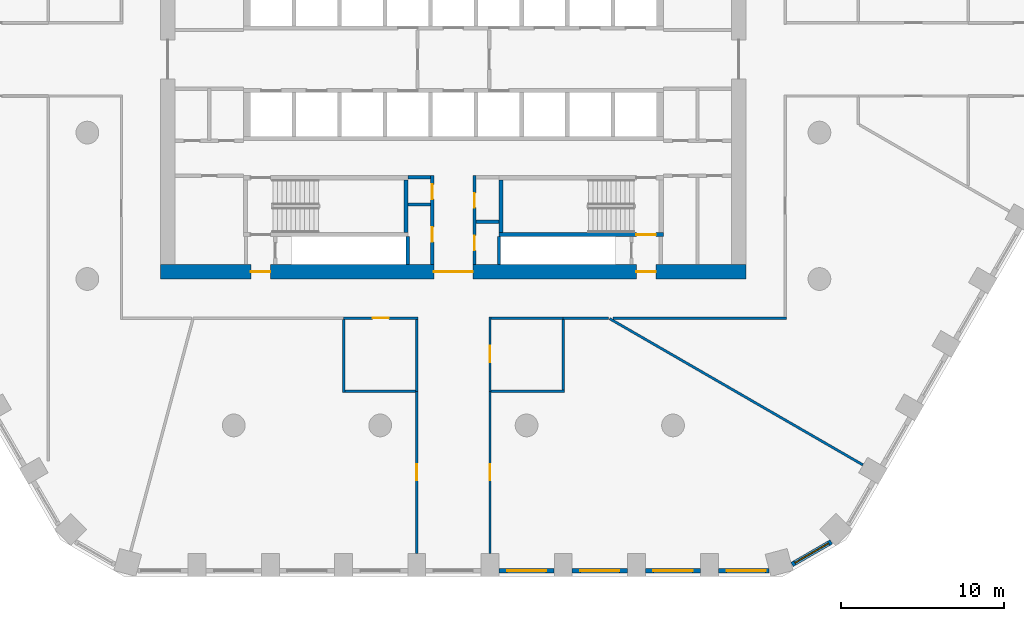
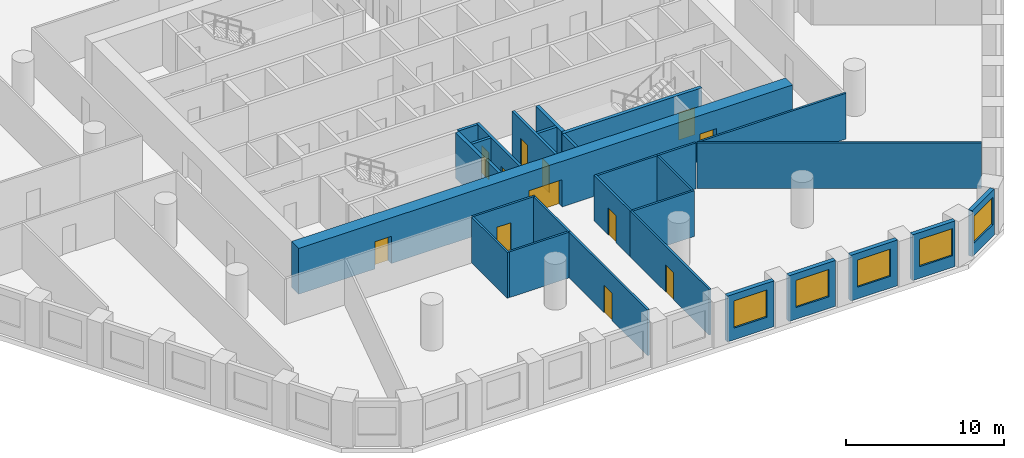
# One storey, part 3 of 10: 29 walls, 12 doors, 5 windows, 17 openings.
"""IFC4 building model written with IfcOpenShell, lengths in metres."""

from ifc_helpers import new_model, si_unit, direction, frame, frame_2d, origin, place, context, subcontext, project, spatial, rectangle, extrude, material, layer, layer_set, type_object, element, fill, save


model = new_model("IFC4")

# Units and contexts
model_context = context("Model", 3, precision=1e-05, world=origin(), true_north=direction((0.0, 1.0)))
body_context = subcontext(model_context, "Body", "Model", "MODEL_VIEW")
ifc_project = project(units=[si_unit("LENGTHUNIT", "METRE"), si_unit("AREAUNIT", "SQUARE_METRE"), si_unit("VOLUMEUNIT", "CUBIC_METRE"), si_unit("PLANEANGLEUNIT", "RADIAN"), si_unit("MASSUNIT", "GRAM", prefix="KILO")], contexts=[model_context])

# Site, building, storey
site_placement = place(None, origin())
site = spatial("IfcSite", under=ifc_project, at=site_placement, CompositionType="ELEMENT")
building_placement = place(site_placement, origin())
building = spatial("IfcBuilding", under=site, at=building_placement, Name="Dhurran Vertical Campus", CompositionType="ELEMENT")
storey_placement = place(building_placement, frame((0.0, 0.0, 65.10009765625)))
storey = spatial("IfcBuildingStorey", under=building, at=storey_placement, Name="L15", CompositionType="ELEMENT", Elevation=65.10009765625)

# Wall, opening, window
ifc_material_1 = material(Name="Precast concrete C50/60", Category="concrete")
ifc_layer_1 = layer(ifc_material_1, 0.300048828125)
ifc_layer_set_1 = layer_set([ifc_layer_1], Name="Precast concrete C50/60")
wall_type_1 = type_object("IfcWallType", Name="Precast spandrel wall 300", PredefinedType="SOLIDWALL", material=ifc_layer_set_1)
wall_1_placement = place(storey_placement, frame((2.800537109375, -31.4296875, 0.0), z_axis=(0.0, 0.0, 1.0), x_axis=(1.0, 0.0, 0.0)))
wall_1 = element("IfcWall", 1, at=wall_1_placement, inside=storey, type_object=wall_type_1, Name="EW1 L15.05", PredefinedType="SOLIDWALL", context=body_context, shape_type="SweptSolid", body=[
    extrude(rectangle(XDim=3.39892578125, YDim=0.300048828125, at=frame_2d((1.699462890625, 0.0))), origin(), (0.0, 0.0, 1.0), 3.52490234375),
])
opening_1_placement = place(wall_1_placement, frame((0.49951171875, 0.0, 0.89990234375)))
opening_1 = element("IfcOpeningElement", 2, at=opening_1_placement, cuts=wall_1, Name="Opening WT1", PredefinedType="OPENING", context=body_context, shape_type="SweptSolid", body=[
    extrude(rectangle(XDim=2.39990234375, YDim=2.10009765625, at=frame_2d((1.199951171875, 1.050048828125))), frame((0.0, 0.159912109375, 0.0), z_axis=(0.0, -1.0, 0.0), x_axis=(1.0, 0.0, 0.0)), (0.0, 0.0, 1.0), 0.320068359375),
])
ifc_material_2 = material(Name="Aluminium frame with solar-control glass", Category="aluminium")
window_type = type_object("IfcWindowType", Name="Punched window 2400 x 2100", PartitioningType="SINGLE_PANEL", PredefinedType="WINDOW", material=ifc_material_2)
window_1_placement = place(opening_1_placement, origin())
window_1 = element("IfcWindow", 3, at=window_1_placement, inside=storey, type_object=window_type, Name="WT1 L15.05", OverallHeight=2.10009765625, OverallWidth=2.39990234375, PartitioningType="SINGLE_PANEL", PredefinedType="WINDOW", context=body_context, shape_type="SweptSolid", body=[
    extrude(rectangle(XDim=2.39990234375, YDim=2.10009765625, at=frame_2d((1.199951171875, 1.050048828125))), frame((0.0, 0.030029296875, 0.0), z_axis=(0.0, -1.0, 0.0), x_axis=(1.0, 0.0, 0.0)), (0.0, 0.0, 1.0), 0.06005859375),
])
fill(opening_1, window_1)

wall_2_placement = place(storey_placement, frame((7.300537109375, -31.4296875, 0.0), z_axis=(0.0, 0.0, 1.0), x_axis=(1.0, 0.0, 0.0)))
wall_2 = element("IfcWall", 4, at=wall_2_placement, inside=storey, type_object=wall_type_1, Name="EW1 L15.06", PredefinedType="SOLIDWALL", context=body_context, shape_type="SweptSolid", body=[
    extrude(rectangle(XDim=3.39892578125, YDim=0.300048828125, at=frame_2d((1.699462890625, 0.0))), origin(), (0.0, 0.0, 1.0), 3.52490234375),
])
opening_2_placement = place(wall_2_placement, frame((0.49951171875, 0.0, 0.89990234375)))
opening_2 = element("IfcOpeningElement", 5, at=opening_2_placement, cuts=wall_2, Name="Opening WT1", PredefinedType="OPENING", context=body_context, shape_type="SweptSolid", body=[
    extrude(rectangle(XDim=2.39990234375, YDim=2.10009765625, at=frame_2d((1.199951171875, 1.050048828125))), frame((0.0, 0.159912109375, 0.0), z_axis=(0.0, -1.0, 0.0), x_axis=(1.0, 0.0, 0.0)), (0.0, 0.0, 1.0), 0.320068359375),
])
window_2_placement = place(opening_2_placement, origin())
window_2 = element("IfcWindow", 6, at=window_2_placement, inside=storey, type_object=window_type, Name="WT1 L15.06", OverallHeight=2.10009765625, OverallWidth=2.39990234375, PartitioningType="SINGLE_PANEL", PredefinedType="WINDOW", context=body_context, shape_type="SweptSolid", body=[
    extrude(rectangle(XDim=2.39990234375, YDim=2.10009765625, at=frame_2d((1.199951171875, 1.050048828125))), frame((0.0, 0.030029296875, 0.0), z_axis=(0.0, -1.0, 0.0), x_axis=(1.0, 0.0, 0.0)), (0.0, 0.0, 1.0), 0.06005859375),
])
fill(opening_2, window_2)

wall_3_placement = place(storey_placement, frame((11.800537109375, -31.4296875, 0.0), z_axis=(0.0, 0.0, 1.0), x_axis=(1.0, 0.0, 0.0)))
wall_3 = element("IfcWall", 7, at=wall_3_placement, inside=storey, type_object=wall_type_1, Name="EW1 L15.07", PredefinedType="SOLIDWALL", context=body_context, shape_type="SweptSolid", body=[
    extrude(rectangle(XDim=3.39892578125, YDim=0.300048828125, at=frame_2d((1.699462890625, 0.0))), origin(), (0.0, 0.0, 1.0), 3.52490234375),
])
opening_3_placement = place(wall_3_placement, frame((0.49951171875, 0.0, 0.89990234375)))
opening_3 = element("IfcOpeningElement", 8, at=opening_3_placement, cuts=wall_3, Name="Opening WT1", PredefinedType="OPENING", context=body_context, shape_type="SweptSolid", body=[
    extrude(rectangle(XDim=2.39990234375, YDim=2.10009765625, at=frame_2d((1.199951171875, 1.050048828125))), frame((0.0, 0.159912109375, 0.0), z_axis=(0.0, -1.0, 0.0), x_axis=(1.0, 0.0, 0.0)), (0.0, 0.0, 1.0), 0.320068359375),
])
window_3_placement = place(opening_3_placement, origin())
window_3 = element("IfcWindow", 9, at=window_3_placement, inside=storey, type_object=window_type, Name="WT1 L15.07", OverallHeight=2.10009765625, OverallWidth=2.39990234375, PartitioningType="SINGLE_PANEL", PredefinedType="WINDOW", context=body_context, shape_type="SweptSolid", body=[
    extrude(rectangle(XDim=2.39990234375, YDim=2.10009765625, at=frame_2d((1.199951171875, 1.050048828125))), frame((0.0, 0.030029296875, 0.0), z_axis=(0.0, -1.0, 0.0), x_axis=(1.0, 0.0, 0.0)), (0.0, 0.0, 1.0), 0.06005859375),
])
fill(opening_3, window_3)

wall_4_placement = place(storey_placement, frame((16.300537109375, -31.4296875, 0.0), z_axis=(0.0, 0.0, 1.0), x_axis=(1.0, 0.0, 0.0)))
wall_4 = element("IfcWall", 10, at=wall_4_placement, inside=storey, type_object=wall_type_1, Name="EW1 L15.08", PredefinedType="SOLIDWALL", context=body_context, shape_type="SweptSolid", body=[
    extrude(rectangle(XDim=3.090576171875, YDim=0.300048828125, at=frame_2d((1.54541015625, 0.0))), origin(), (0.0, 0.0, 1.0), 3.52490234375),
])
opening_4_placement = place(wall_4_placement, frame((0.49951171875, 0.0, 0.89990234375)))
opening_4 = element("IfcOpeningElement", 11, at=opening_4_placement, cuts=wall_4, Name="Opening WT1", PredefinedType="OPENING", context=body_context, shape_type="SweptSolid", body=[
    extrude(rectangle(XDim=2.39990234375, YDim=2.10009765625, at=frame_2d((1.199951171875, 1.050048828125))), frame((0.0, 0.159912109375, 0.0), z_axis=(0.0, -1.0, 0.0), x_axis=(1.0, 0.0, 0.0)), (0.0, 0.0, 1.0), 0.320068359375),
])
window_4_placement = place(opening_4_placement, origin())
window_4 = element("IfcWindow", 12, at=window_4_placement, inside=storey, type_object=window_type, Name="WT1 L15.08", OverallHeight=2.10009765625, OverallWidth=2.39990234375, PartitioningType="SINGLE_PANEL", PredefinedType="WINDOW", context=body_context, shape_type="SweptSolid", body=[
    extrude(rectangle(XDim=2.39990234375, YDim=2.10009765625, at=frame_2d((1.199951171875, 1.050048828125))), frame((0.0, 0.030029296875, 0.0), z_axis=(0.0, -1.0, 0.0), x_axis=(1.0, 0.0, 0.0)), (0.0, 0.0, 1.0), 0.06005859375),
])
fill(opening_4, window_4)

wall_5_placement = place(storey_placement, frame((20.81884765625, -31.047119140625, 0.0), z_axis=(0.0, 0.0, 1.0), x_axis=(0.866020456713, 0.500008568482, 0.0)))
wall_5 = element("IfcWall", 13, at=wall_5_placement, inside=storey, type_object=wall_type_1, Name="EW1 L15.09", PredefinedType="SOLIDWALL", context=body_context, shape_type="SweptSolid", body=[
    extrude(rectangle(XDim=2.7822265625, YDim=0.300048828125, at=frame_2d((1.39111328125, 0.0))), origin(), (0.0, 0.0, 1.0), 3.52490234375),
])
opening_5_placement = place(wall_5_placement, frame((0.191162109375, 0.0, 0.89990234375)))
opening_5 = element("IfcOpeningElement", 14, at=opening_5_placement, cuts=wall_5, Name="Opening WT1", PredefinedType="OPENING", context=body_context, shape_type="SweptSolid", body=[
    extrude(rectangle(XDim=2.39990234375, YDim=2.10009765625, at=frame_2d((1.199951171875, 1.050048828125))), frame((0.0, 0.159912109375, 0.0), z_axis=(0.0, -1.0, 0.0), x_axis=(1.0, 0.0, 0.0)), (0.0, 0.0, 1.0), 0.320068359375),
])
window_5_placement = place(opening_5_placement, origin())
window_5 = element("IfcWindow", 15, at=window_5_placement, inside=storey, type_object=window_type, Name="WT1 L15.09", OverallHeight=2.10009765625, OverallWidth=2.39990234375, PartitioningType="SINGLE_PANEL", PredefinedType="WINDOW", context=body_context, shape_type="SweptSolid", body=[
    extrude(rectangle(XDim=2.39990234375, YDim=2.10009765625, at=frame_2d((1.199951171875, 1.050048828125))), frame((0.0, 0.030029296875, 0.0), z_axis=(0.0, -1.0, 0.0), x_axis=(1.0, 0.0, 0.0)), (0.0, 0.0, 1.0), 0.06005859375),
])
fill(opening_5, window_5)

# Wall, openings, doors
ifc_material_3 = material(Name="Concrete C60/75", Category="concrete")
ifc_layer_2 = layer(ifc_material_3, 0.89990234375)
ifc_layer_set_2 = layer_set([ifc_layer_2], Name="Concrete C60/75")
wall_type_2 = type_object("IfcWallType", Name="co-CORE-WALL-C0-900", PredefinedType="SHEAR", material=ifc_layer_set_2)
wall_6_placement = place(storey_placement, frame((-18.0, -13.050048828125, 0.0), z_axis=(0.0, 0.0, 1.0), x_axis=(1.0, 0.0, 0.0)))
wall_6 = element("IfcWall", 16, at=wall_6_placement, inside=storey, type_object=wall_type_2, Name="Core wall S L15", PredefinedType="SHEAR", context=body_context, shape_type="SweptSolid", body=[
    extrude(rectangle(XDim=36.0, YDim=0.89990234375, at=frame_2d((18.0, 0.0))), origin(), (0.0, 0.0, 1.0), 3.52490234375),
])
opening_6_placement = place(wall_6_placement, frame((16.800048828125, 0.0, 0.0)))
opening_6 = element("IfcOpeningElement", 17, at=opening_6_placement, cuts=wall_6, Name="Opening CV2", PredefinedType="OPENING", context=body_context, shape_type="SweptSolid", body=[
    extrude(rectangle(XDim=2.39990234375, YDim=2.10009765625, at=frame_2d((1.199951171875, 1.050048828125))), frame((0.0, 0.4599609375, 0.0), z_axis=(0.0, -1.0, 0.0), x_axis=(1.0, 0.0, 0.0)), (0.0, 0.0, 1.0), 0.919921875),
])
opening_7_placement = place(wall_6_placement, frame((5.550048828125, 0.0, 0.0)))
opening_7 = element("IfcOpeningElement", 18, at=opening_7_placement, cuts=wall_6, Name="Opening XD3", PredefinedType="OPENING", context=body_context, shape_type="SweptSolid", body=[
    extrude(rectangle(XDim=1.199951171875, YDim=2.10009765625, at=frame_2d((0.60009765625, 1.050048828125))), frame((0.0, 0.4599609375, 0.0), z_axis=(0.0, -1.0, 0.0), x_axis=(1.0, 0.0, 0.0)), (0.0, 0.0, 1.0), 0.919921875),
])
opening_8_placement = place(wall_6_placement, frame((29.25, 0.0, 0.0)))
opening_8 = element("IfcOpeningElement", 19, at=opening_8_placement, cuts=wall_6, Name="Opening XD4", PredefinedType="OPENING", context=body_context, shape_type="SweptSolid", body=[
    extrude(rectangle(XDim=1.199951171875, YDim=2.10009765625, at=frame_2d((0.60009765625, 1.050048828125))), frame((0.0, 0.4599609375, 0.0), z_axis=(0.0, -1.0, 0.0), x_axis=(1.0, 0.0, 0.0)), (0.0, 0.0, 1.0), 0.919921875),
])
ifc_material_4 = material(Name="Fire-rated glazed door set")
door_type_1 = type_object("IfcDoorType", Name="co-D-LOBBY 2400x2100", OperationType="DOUBLE_DOOR_DOUBLE_SWING", PredefinedType="DOOR", material=ifc_material_4)
door_1_placement = place(opening_6_placement, origin())
door_1 = element("IfcDoor", 20, at=door_1_placement, inside=storey, type_object=door_type_1, Name="Core vestibule door S L15", OperationType="DOUBLE_DOOR_DOUBLE_SWING", OverallHeight=2.10009765625, OverallWidth=2.39990234375, PredefinedType="DOOR", context=body_context, shape_type="SweptSolid", body=[
    extrude(rectangle(XDim=2.39990234375, YDim=2.10009765625, at=frame_2d((1.199951171875, 1.050048828125))), frame((0.0, 0.02490234375, 0.0), z_axis=(0.0, -1.0, 0.0), x_axis=(1.0, 0.0, 0.0)), (0.0, 0.0, 1.0), 0.050048828125),
])
fill(opening_6, door_1)
ifc_material_5 = material(Name="Fire-rated steel door set", Category="steel")
door_type_2 = type_object("IfcDoorType", Name="co-D-STAIR-EXIT 1200x2100", OperationType="SINGLE_SWING_RIGHT", PredefinedType="DOOR", material=ifc_material_5)
door_2_placement = place(opening_7_placement, origin())
door_2 = element("IfcDoor", 21, at=door_2_placement, inside=storey, type_object=door_type_2, Name="Stair ST3 exit door L15", OperationType="SINGLE_SWING_RIGHT", OverallHeight=2.10009765625, OverallWidth=1.199951171875, PredefinedType="DOOR", context=body_context, shape_type="SweptSolid", body=[
    extrude(rectangle(XDim=1.199951171875, YDim=2.10009765625, at=frame_2d((0.60009765625, 1.050048828125))), frame((0.0, 0.02490234375, 0.0), z_axis=(0.0, -1.0, 0.0), x_axis=(1.0, 0.0, 0.0)), (0.0, 0.0, 1.0), 0.050048828125),
])
fill(opening_7, door_2)
door_3_placement = place(opening_8_placement, origin())
door_3 = element("IfcDoor", 22, at=door_3_placement, inside=storey, type_object=door_type_2, Name="Stair ST4 exit door L15", OperationType="SINGLE_SWING_RIGHT", OverallHeight=2.10009765625, OverallWidth=1.199951171875, PredefinedType="DOOR", context=body_context, shape_type="SweptSolid", body=[
    extrude(rectangle(XDim=1.199951171875, YDim=2.10009765625, at=frame_2d((0.60009765625, 1.050048828125))), frame((0.0, 0.02490234375, 0.0), z_axis=(0.0, -1.0, 0.0), x_axis=(1.0, 0.0, 0.0)), (0.0, 0.0, 1.0), 0.050048828125),
])
fill(opening_8, door_3)

# Walls
ifc_material_6 = material(Name="Fire-rated masonry blockwork", Category="masonry")
ifc_layer_3 = layer(ifc_material_6, 0.199951171875)
ifc_layer_set_3 = layer_set([ifc_layer_3], Name="Fire-rated masonry blockwork")
wall_type_3 = type_object("IfcWallType", Name="co-FIRE-PARTITION-200", PredefinedType="PARTITIONING", material=ifc_layer_set_3)
for number, where, z_axis, x_axis, name in (
    (23, (-2.800048828125, -7.25, 0.0), (0.0, 0.0, 1.0), (1.0, 0.0, 0.0), "Core partition sl-SW-S L15"),
    (24, (-2.800048828125, -8.925048828125, 0.0), (0.0, 0.0, 1.0), (1.0, 0.0, 0.0), "Core partition sl-SW-cut0 L15"),
    (25, (1.39990234375, -9.97509765625, 0.0), (0.0, 0.0, 1.0), (1.0, 0.0, 0.0), "Core partition sl-SE-cut0 L15"),
):
    element("IfcWall", number, at=place(storey_placement, frame(where, z_axis=z_axis, x_axis=x_axis)), inside=storey, type_object=wall_type_3, Name=name, PredefinedType="PARTITIONING", context=body_context, shape_type="SweptSolid", body=[
        extrude(rectangle(XDim=1.400146484375, YDim=0.199951171875, at=frame_2d((0.7001953125, 0.0))), origin(), (0.0, 0.0, 1.0), 3.52490234375),
    ])

# Wall, openings, doors
wall_7_placement = place(storey_placement, frame((-1.300048828125, -12.60009765625, 0.0), z_axis=(0.0, 0.0, 1.0), x_axis=(0.0, 1.0, 0.0)))
wall_7 = element("IfcWall", 26, at=wall_7_placement, inside=storey, type_object=wall_type_3, Name="Core partition vest-SW L15", PredefinedType="PARTITIONING", context=body_context, shape_type="SweptSolid", body=[
    extrude(rectangle(XDim=5.4501953125, YDim=0.199951171875, at=frame_2d((2.72509765625, 0.0))), origin(), (0.0, 0.0, 1.0), 3.52490234375),
])
opening_9_placement = place(wall_7_placement, frame((1.387451171875, 0.0, 0.0)))
opening_9 = element("IfcOpeningElement", 27, at=opening_9_placement, cuts=wall_7, Name="Opening T04-C1", PredefinedType="OPENING", context=body_context, shape_type="SweptSolid", body=[
    extrude(rectangle(XDim=0.89990234375, YDim=2.10009765625, at=frame_2d((0.449951171875, 1.050048828125))), frame((0.0, 0.10986328125, 0.0), z_axis=(0.0, -1.0, 0.0), x_axis=(1.0, 0.0, 0.0)), (0.0, 0.0, 1.0), 0.219970703125),
])
opening_10_placement = place(wall_7_placement, frame((4.012451171875, 0.0, 0.0)))
opening_10 = element("IfcOpeningElement", 28, at=opening_10_placement, cuts=wall_7, Name="Opening T04-C2", PredefinedType="OPENING", context=body_context, shape_type="SweptSolid", body=[
    extrude(rectangle(XDim=0.89990234375, YDim=2.10009765625, at=frame_2d((0.449951171875, 1.050048828125))), frame((0.0, 0.10986328125, 0.0), z_axis=(0.0, -1.0, 0.0), x_axis=(1.0, 0.0, 0.0)), (0.0, 0.0, 1.0), 0.219970703125),
])
ifc_material_7 = material(Name="Fire-rated timber door set", Category="wood")
door_type_3 = type_object("IfcDoorType", Name="co-D-ROOM 900x2100", OperationType="SINGLE_SWING_LEFT", PredefinedType="DOOR", material=ifc_material_7)
door_4_placement = place(opening_9_placement, origin())
door_4 = element("IfcDoor", 29, at=door_4_placement, inside=storey, type_object=door_type_3, Name="Housekeeping store door L15", OperationType="SINGLE_SWING_LEFT", OverallHeight=2.10009765625, OverallWidth=0.89990234375, PredefinedType="DOOR", context=body_context, shape_type="SweptSolid", body=[
    extrude(rectangle(XDim=0.89990234375, YDim=2.10009765625, at=frame_2d((0.449951171875, 1.050048828125))), frame((0.0, 0.02490234375, 0.0), z_axis=(0.0, -1.0, 0.0), x_axis=(1.0, 0.0, 0.0)), (0.0, 0.0, 1.0), 0.050048828125),
])
fill(opening_9, door_4)
door_5_placement = place(opening_10_placement, origin())
door_5 = element("IfcDoor", 30, at=door_5_placement, inside=storey, type_object=door_type_3, Name="Server room door L15", OperationType="SINGLE_SWING_LEFT", OverallHeight=2.10009765625, OverallWidth=0.89990234375, PredefinedType="DOOR", context=body_context, shape_type="SweptSolid", body=[
    extrude(rectangle(XDim=0.89990234375, YDim=2.10009765625, at=frame_2d((0.449951171875, 1.050048828125))), frame((0.0, 0.02490234375, 0.0), z_axis=(0.0, -1.0, 0.0), x_axis=(1.0, 0.0, 0.0)), (0.0, 0.0, 1.0), 0.050048828125),
])
fill(opening_10, door_5)

wall_8_placement = place(storey_placement, frame((1.300048828125, -12.60009765625, 0.0), z_axis=(0.0, 0.0, 1.0), x_axis=(0.0, 1.0, 0.0)))
wall_8 = element("IfcWall", 31, at=wall_8_placement, inside=storey, type_object=wall_type_3, Name="Core partition vest-SE L15", PredefinedType="PARTITIONING", context=body_context, shape_type="SweptSolid", body=[
    extrude(rectangle(XDim=5.4501953125, YDim=0.199951171875, at=frame_2d((2.72509765625, 0.0))), origin(), (0.0, 0.0, 1.0), 3.52490234375),
])
opening_11_placement = place(wall_8_placement, frame((0.862548828125, 0.0, 0.0)))
opening_11 = element("IfcOpeningElement", 32, at=opening_11_placement, cuts=wall_8, Name="Opening T04-C3", PredefinedType="OPENING", context=body_context, shape_type="SweptSolid", body=[
    extrude(rectangle(XDim=0.89990234375, YDim=2.10009765625, at=frame_2d((0.449951171875, 1.050048828125))), frame((0.0, 0.10986328125, 0.0), z_axis=(0.0, -1.0, 0.0), x_axis=(1.0, 0.0, 0.0)), (0.0, 0.0, 1.0), 0.219970703125),
])
opening_12_placement = place(wall_8_placement, frame((3.487548828125, 0.0, 0.0)))
opening_12 = element("IfcOpeningElement", 33, at=opening_12_placement, cuts=wall_8, Name="Opening T04-C4", PredefinedType="OPENING", context=body_context, shape_type="SweptSolid", body=[
    extrude(rectangle(XDim=0.89990234375, YDim=2.10009765625, at=frame_2d((0.449951171875, 1.050048828125))), frame((0.0, 0.10986328125, 0.0), z_axis=(0.0, -1.0, 0.0), x_axis=(1.0, 0.0, 0.0)), (0.0, 0.0, 1.0), 0.219970703125),
])
door_6_placement = place(opening_11_placement, origin())
door_6 = element("IfcDoor", 34, at=door_6_placement, inside=storey, type_object=door_type_3, Name="Communications room door L15", OperationType="SINGLE_SWING_LEFT", OverallHeight=2.10009765625, OverallWidth=0.89990234375, PredefinedType="DOOR", context=body_context, shape_type="SweptSolid", body=[
    extrude(rectangle(XDim=0.89990234375, YDim=2.10009765625, at=frame_2d((0.449951171875, 1.050048828125))), frame((0.0, 0.02490234375, 0.0), z_axis=(0.0, -1.0, 0.0), x_axis=(1.0, 0.0, 0.0)), (0.0, 0.0, 1.0), 0.050048828125),
])
fill(opening_11, door_6)
door_7_placement = place(opening_12_placement, origin())
door_7 = element("IfcDoor", 35, at=door_7_placement, inside=storey, type_object=door_type_3, Name="Fire equipment store door L15", OperationType="SINGLE_SWING_LEFT", OverallHeight=2.10009765625, OverallWidth=0.89990234375, PredefinedType="DOOR", context=body_context, shape_type="SweptSolid", body=[
    extrude(rectangle(XDim=0.89990234375, YDim=2.10009765625, at=frame_2d((0.449951171875, 1.050048828125))), frame((0.0, 0.02490234375, 0.0), z_axis=(0.0, -1.0, 0.0), x_axis=(1.0, 0.0, 0.0)), (0.0, 0.0, 1.0), 0.050048828125),
])
fill(opening_12, door_7)

# Walls
for number, where, z_axis, x_axis, name in (
    (36, (-2.800048828125, -12.59912109375, 0.0), (0.0, 0.0, 1.0), (0.0, 1.0, 0.0), "Riser enclosure wall L15"),
    (37, (2.800048828125, -10.90087890625, 0.0), (0.0, 0.0, 1.0), (0.0, -1.0, 0.0), "Riser enclosure wall L15"),
):
    element("IfcWall", number, at=place(storey_placement, frame(where, z_axis=z_axis, x_axis=x_axis)), inside=storey, type_object=wall_type_3, Name=name, PredefinedType="PARTITIONING", context=body_context, shape_type="SweptSolid", body=[
        extrude(rectangle(XDim=1.6982421875, YDim=0.199951171875, at=frame_2d((0.84912109375, 0.0))), origin(), (0.0, 0.0, 1.0), 3.52490234375),
    ])
ifc_material_8 = material(Name="Concrete C40/50", Category="concrete")
ifc_layer_4 = layer(ifc_material_8, 0.25)
ifc_layer_set_4 = layer_set([ifc_layer_4], Name="Concrete C40/50")
wall_type_4 = type_object("IfcWallType", Name="co-STAIR-WALL-250", PredefinedType="SHEAR", material=ifc_layer_set_4)
wall_9_placement = place(storey_placement, frame((-2.925048828125, -10.64990234375, 0.0), z_axis=(0.0, 0.0, 1.0), x_axis=(0.0, 1.0, 0.0)))
element("IfcWall", 38, at=wall_9_placement, inside=storey, type_object=wall_type_4, Name="Stair ST3 enclosure wall L15", PredefinedType="SHEAR", context=body_context, shape_type="SweptSolid", body=[
    extrude(rectangle(XDim=3.25, YDim=0.25, at=frame_2d((1.625, 0.0))), origin(), (0.0, 0.0, 1.0), 3.52490234375),
])

# Wall, opening, door
wall_10_placement = place(storey_placement, frame((2.800048828125, -10.77490234375, 0.0), z_axis=(0.0, 0.0, 1.0), x_axis=(1.0, 0.0, 0.0)))
wall_10 = element("IfcWall", 39, at=wall_10_placement, inside=storey, type_object=wall_type_4, Name="Stair ST4 enclosure wall L15", PredefinedType="SHEAR", context=body_context, shape_type="SweptSolid", body=[
    extrude(rectangle(XDim=10.099853515625, YDim=0.25, at=frame_2d((5.0498046875, 0.0))), origin(), (0.0, 0.0, 1.0), 3.52490234375),
])
opening_13_placement = place(wall_10_placement, frame((8.449951171875, 0.0, 0.0)))
opening_13 = element("IfcOpeningElement", 40, at=opening_13_placement, cuts=wall_10, Name="Opening XS4", PredefinedType="OPENING", context=body_context, shape_type="SweptSolid", body=[
    extrude(rectangle(XDim=1.199951171875, YDim=2.10009765625, at=frame_2d((0.60009765625, 1.050048828125))), frame((0.0, 0.135009765625, 0.0), z_axis=(0.0, -1.0, 0.0), x_axis=(1.0, 0.0, 0.0)), (0.0, 0.0, 1.0), 0.27001953125),
])
door_8_placement = place(opening_13_placement, origin())
door_8 = element("IfcDoor", 41, at=door_8_placement, inside=storey, type_object=door_type_2, Name="Stair ST4 discharge door L15", OperationType="SINGLE_SWING_RIGHT", OverallHeight=2.10009765625, OverallWidth=1.199951171875, PredefinedType="DOOR", context=body_context, shape_type="SweptSolid", body=[
    extrude(rectangle(XDim=1.199951171875, YDim=2.10009765625, at=frame_2d((0.60009765625, 1.050048828125))), frame((0.0, 0.02490234375, 0.0), z_axis=(0.0, -1.0, 0.0), x_axis=(1.0, 0.0, 0.0)), (0.0, 0.0, 1.0), 0.050048828125),
])
fill(opening_13, door_8)

# Wall
wall_11_placement = place(storey_placement, frame((2.925048828125, -10.64990234375, 0.0), z_axis=(0.0, 0.0, 1.0), x_axis=(0.0, 1.0, 0.0)))
element("IfcWall", 42, at=wall_11_placement, inside=storey, type_object=wall_type_4, Name="Stair ST4 enclosure wall L15", PredefinedType="SHEAR", context=body_context, shape_type="SweptSolid", body=[
    extrude(rectangle(XDim=3.25, YDim=0.25, at=frame_2d((1.625, 0.0))), origin(), (0.0, 0.0, 1.0), 3.52490234375),
])

# Wall, opening, door
ifc_material_9 = material(Name="Gypsum board corridor wall on steel studs", Category="steel")
ifc_layer_5 = layer(ifc_material_9, 0.14990234375)
ifc_layer_set_5 = layer_set([ifc_layer_5], Name="Gypsum board corridor wall on steel studs")
wall_type_5 = type_object("IfcWallType", Name="fl-CW-150 corridor wall", PredefinedType="PARTITIONING", material=ifc_layer_set_5)
wall_12_placement = place(storey_placement, frame((-6.75, -15.89990234375, 0.0), z_axis=(0.0, 0.0, 1.0), x_axis=(1.0, 0.0, 0.0)))
wall_12 = element("IfcWall", 43, at=wall_12_placement, inside=storey, type_object=wall_type_5, Name="Partition 15-21", PredefinedType="PARTITIONING", context=body_context, shape_type="SweptSolid", body=[
    extrude(rectangle(XDim=4.574951171875, YDim=0.14990234375, at=frame_2d((2.28759765625, 0.0))), origin(), (0.0, 0.0, 1.0), 3.52490234375),
])
opening_14_placement = place(wall_12_placement, frame((1.78759765625, 0.0, 0.0)))
opening_14 = element("IfcOpeningElement", 44, at=opening_14_placement, cuts=wall_12, Name="Opening T04.08", PredefinedType="OPENING", context=body_context, shape_type="SweptSolid", body=[
    extrude(rectangle(XDim=1.0, YDim=2.10009765625, at=frame_2d((0.5, 1.050048828125))), frame((0.0, 0.0849609375, 0.0), z_axis=(0.0, -1.0, 0.0), x_axis=(1.0, 0.0, 0.0)), (0.0, 0.0, 1.0), 0.169921875),
])
ifc_material_10 = material(Name="Solid-core timber door set, fire-rated", Category="wood")
door_type_4 = type_object("IfcDoorType", Name="fl-D-1000x2100", OperationType="SINGLE_SWING_LEFT", PredefinedType="DOOR", material=ifc_material_10)
door_9_placement = place(opening_14_placement, origin())
door_9 = element("IfcDoor", 45, at=door_9_placement, inside=storey, type_object=door_type_4, Name="Door 15.08", OperationType="SINGLE_SWING_LEFT", OverallHeight=2.10009765625, OverallWidth=1.0, PredefinedType="DOOR", context=body_context, shape_type="SweptSolid", body=[
    extrude(rectangle(XDim=1.0, YDim=2.10009765625, at=frame_2d((0.5, 1.050048828125))), frame((0.0, 0.02490234375, 0.0), z_axis=(0.0, -1.0, 0.0), x_axis=(1.0, 0.0, 0.0)), (0.0, 0.0, 1.0), 0.050048828125),
])
fill(opening_14, door_9)

wall_13_placement = place(storey_placement, frame((-2.25, -30.35986328125, 0.0), z_axis=(0.0, 0.0, 1.0), x_axis=(0.0, 1.0, 0.0)))
wall_13 = element("IfcWall", 46, at=wall_13_placement, inside=storey, type_object=wall_type_5, Name="Partition 15-22", PredefinedType="PARTITIONING", context=body_context, shape_type="SweptSolid", body=[
    extrude(rectangle(XDim=9.9599609375, YDim=0.14990234375, at=frame_2d((4.97998046875, 0.0))), origin(), (0.0, 0.0, 1.0), 3.52490234375),
])
opening_15_placement = place(wall_13_placement, frame((4.47998046875, 0.0, 0.0)))
opening_15 = element("IfcOpeningElement", 47, at=opening_15_placement, cuts=wall_13, Name="Opening T04.07", PredefinedType="OPENING", context=body_context, shape_type="SweptSolid", body=[
    extrude(rectangle(XDim=1.0, YDim=2.10009765625, at=frame_2d((0.5, 1.050048828125))), frame((0.0, 0.0849609375, 0.0), z_axis=(0.0, -1.0, 0.0), x_axis=(1.0, 0.0, 0.0)), (0.0, 0.0, 1.0), 0.169921875),
])
door_10_placement = place(opening_15_placement, origin())
door_10 = element("IfcDoor", 48, at=door_10_placement, inside=storey, type_object=door_type_4, Name="Door 15.07", OperationType="SINGLE_SWING_RIGHT", OverallHeight=2.10009765625, OverallWidth=1.0, PredefinedType="DOOR", context=body_context, shape_type="SweptSolid", body=[
    extrude(rectangle(XDim=1.0, YDim=2.10009765625, at=frame_2d((0.5, 1.050048828125))), frame((0.0, 0.02490234375, 0.0), z_axis=(0.0, -1.0, 0.0), x_axis=(1.0, 0.0, 0.0)), (0.0, 0.0, 1.0), 0.050048828125),
])
fill(opening_15, door_10)

# Wall
wall_14_placement = place(storey_placement, frame((-2.25, -20.39990234375, 0.0), z_axis=(0.0, 0.0, 1.0), x_axis=(0.0, 1.0, 0.0)))
element("IfcWall", 49, at=wall_14_placement, inside=storey, type_object=wall_type_5, Name="Partition 15-23", PredefinedType="PARTITIONING", context=body_context, shape_type="SweptSolid", body=[
    extrude(rectangle(XDim=4.4248046875, YDim=0.14990234375, at=frame_2d((2.21240234375, 0.0))), origin(), (0.0, 0.0, 1.0), 3.52490234375),
])

# Wall, opening, door
wall_15_placement = place(storey_placement, frame((2.25, -20.39990234375, 0.0), z_axis=(0.0, 0.0, 1.0), x_axis=(0.0, -1.0, 0.0)))
wall_15 = element("IfcWall", 50, at=wall_15_placement, inside=storey, type_object=wall_type_5, Name="Partition 15-24", PredefinedType="PARTITIONING", context=body_context, shape_type="SweptSolid", body=[
    extrude(rectangle(XDim=9.9599609375, YDim=0.14990234375, at=frame_2d((4.97998046875, 0.0))), origin(), (0.0, 0.0, 1.0), 3.52490234375),
])
opening_16_placement = place(wall_15_placement, frame((4.47998046875, 0.0, 0.0)))
opening_16 = element("IfcOpeningElement", 51, at=opening_16_placement, cuts=wall_15, Name="Opening T04.11", PredefinedType="OPENING", context=body_context, shape_type="SweptSolid", body=[
    extrude(rectangle(XDim=1.0, YDim=2.10009765625, at=frame_2d((0.5, 1.050048828125))), frame((0.0, 0.0849609375, 0.0), z_axis=(0.0, -1.0, 0.0), x_axis=(1.0, 0.0, 0.0)), (0.0, 0.0, 1.0), 0.169921875),
])
door_11_placement = place(opening_16_placement, origin())
door_11 = element("IfcDoor", 52, at=door_11_placement, inside=storey, type_object=door_type_4, Name="Door 15.11", OperationType="SINGLE_SWING_LEFT", OverallHeight=2.10009765625, OverallWidth=1.0, PredefinedType="DOOR", context=body_context, shape_type="SweptSolid", body=[
    extrude(rectangle(XDim=1.0, YDim=2.10009765625, at=frame_2d((0.5, 1.050048828125))), frame((0.0, 0.02490234375, 0.0), z_axis=(0.0, -1.0, 0.0), x_axis=(1.0, 0.0, 0.0)), (0.0, 0.0, 1.0), 0.050048828125),
])
fill(opening_16, door_11)

wall_16_placement = place(storey_placement, frame((2.25, -15.824951171875, 0.0), z_axis=(0.0, 0.0, 1.0), x_axis=(0.0, -1.0, 0.0)))
wall_16 = element("IfcWall", 53, at=wall_16_placement, inside=storey, type_object=wall_type_5, Name="Partition 15-25", PredefinedType="PARTITIONING", context=body_context, shape_type="SweptSolid", body=[
    extrude(rectangle(XDim=4.574951171875, YDim=0.14990234375, at=frame_2d((2.28759765625, 0.0))), origin(), (0.0, 0.0, 1.0), 3.52490234375),
])
opening_17_placement = place(wall_16_placement, frame((1.78759765625, 0.0, 0.0)))
opening_17 = element("IfcOpeningElement", 54, at=opening_17_placement, cuts=wall_16, Name="Opening T04.10", PredefinedType="OPENING", context=body_context, shape_type="SweptSolid", body=[
    extrude(rectangle(XDim=1.0, YDim=2.10009765625, at=frame_2d((0.5, 1.050048828125))), frame((0.0, 0.0849609375, 0.0), z_axis=(0.0, -1.0, 0.0), x_axis=(1.0, 0.0, 0.0)), (0.0, 0.0, 1.0), 0.169921875),
])
door_12_placement = place(opening_17_placement, origin())
door_12 = element("IfcDoor", 55, at=door_12_placement, inside=storey, type_object=door_type_4, Name="Door 15.10", OperationType="SINGLE_SWING_RIGHT", OverallHeight=2.10009765625, OverallWidth=1.0, PredefinedType="DOOR", context=body_context, shape_type="SweptSolid", body=[
    extrude(rectangle(XDim=1.0, YDim=2.10009765625, at=frame_2d((0.5, 1.050048828125))), frame((0.0, 0.02490234375, 0.0), z_axis=(0.0, -1.0, 0.0), x_axis=(1.0, 0.0, 0.0)), (0.0, 0.0, 1.0), 0.050048828125),
])
fill(opening_17, door_12)

# Walls
wall_17_placement = place(storey_placement, frame((2.324951171875, -15.89990234375, 0.0), z_axis=(0.0, 0.0, 1.0), x_axis=(1.0, 0.0, 0.0)))
element("IfcWall", 56, at=wall_17_placement, inside=storey, type_object=wall_type_5, Name="Partition 15-27", PredefinedType="PARTITIONING", context=body_context, shape_type="SweptSolid", body=[
    extrude(rectangle(XDim=4.425048828125, YDim=0.14990234375, at=frame_2d((2.21240234375, 0.0))), origin(), (0.0, 0.0, 1.0), 3.52490234375),
])
wall_18_placement = place(storey_placement, frame((6.75, -15.89990234375, 0.0), z_axis=(0.0, 0.0, 1.0), x_axis=(1.0, 0.0, 0.0)))
element("IfcWall", 57, at=wall_18_placement, inside=storey, type_object=wall_type_5, Name="Partition 15-29", PredefinedType="PARTITIONING", context=body_context, shape_type="SweptSolid", body=[
    extrude(rectangle(XDim=2.7900390625, YDim=0.14990234375, at=frame_2d((1.39501953125, 0.0))), origin(), (0.0, 0.0, 1.0), 3.52490234375),
])
wall_19_placement = place(storey_placement, frame((9.81494140625, -15.89990234375, 0.0), z_axis=(0.0, 0.0, 1.0), x_axis=(1.0, 0.0, 0.0)))
element("IfcWall", 58, at=wall_19_placement, inside=storey, type_object=wall_type_5, Name="Partition 15-32", PredefinedType="PARTITIONING", context=body_context, shape_type="SweptSolid", body=[
    extrude(rectangle(XDim=10.66015625, YDim=0.14990234375, at=frame_2d((5.330078125, 0.0))), origin(), (0.0, 0.0, 1.0), 3.52490234375),
])
ifc_material_11 = material(Name="Gypsum board partition on steel studs", Category="steel")
ifc_layer_6 = layer(ifc_material_11, 0.14990234375)
ifc_layer_set_6 = layer_set([ifc_layer_6], Name="Gypsum board partition on steel studs")
wall_type_6 = type_object("IfcWallType", Name="fl-PW-150 fixed partition", PredefinedType="PARTITIONING", material=ifc_layer_set_6)
wall_20_placement = place(storey_placement, frame((-6.75, -15.97509765625, 0.0), z_axis=(0.0, 0.0, 1.0), x_axis=(0.0, -1.0, 0.0)))
element("IfcWall", 59, at=wall_20_placement, inside=storey, type_object=wall_type_6, Name="Partition 15-19", PredefinedType="PARTITIONING", context=body_context, shape_type="SweptSolid", body=[
    extrude(rectangle(XDim=4.5, YDim=0.14990234375, at=frame_2d((2.25, 0.0))), origin(), (0.0, 0.0, 1.0), 3.52490234375),
])
wall_21_placement = place(storey_placement, frame((-6.675048828125, -20.39990234375, 0.0), z_axis=(0.0, 0.0, 1.0), x_axis=(1.0, 0.0, 0.0)))
element("IfcWall", 60, at=wall_21_placement, inside=storey, type_object=wall_type_6, Name="Partition 15-20", PredefinedType="PARTITIONING", context=body_context, shape_type="SweptSolid", body=[
    extrude(rectangle(XDim=4.35009765625, YDim=0.14990234375, at=frame_2d((2.175048828125, 0.0))), origin(), (0.0, 0.0, 1.0), 3.52490234375),
])
wall_22_placement = place(storey_placement, frame((6.824951171875, -20.39990234375, 0.0), z_axis=(0.0, 0.0, 1.0), x_axis=(-1.0, 0.0, 0.0)))
element("IfcWall", 61, at=wall_22_placement, inside=storey, type_object=wall_type_6, Name="Partition 15-26", PredefinedType="PARTITIONING", context=body_context, shape_type="SweptSolid", body=[
    extrude(rectangle(XDim=4.5, YDim=0.14990234375, at=frame_2d((2.25, 0.0))), origin(), (0.0, 0.0, 1.0), 3.52490234375),
])
wall_23_placement = place(storey_placement, frame((6.75, -15.97509765625, 0.0), z_axis=(0.0, 0.0, 1.0), x_axis=(0.0, -1.0, 0.0)))
element("IfcWall", 62, at=wall_23_placement, inside=storey, type_object=wall_type_6, Name="Partition 15-28", PredefinedType="PARTITIONING", context=body_context, shape_type="SweptSolid", body=[
    extrude(rectangle(XDim=4.349853515625, YDim=0.14990234375, at=frame_2d((2.1748046875, 0.0))), origin(), (0.0, 0.0, 1.0), 3.52490234375),
])
wall_24_placement = place(storey_placement, frame((9.60498046875, -15.9375, 0.0), z_axis=(0.0, 0.0, 1.0), x_axis=(0.866007979396, -0.500030178712, 0.0)))
element("IfcWall", 63, at=wall_24_placement, inside=storey, type_object=wall_type_6, Name="Partition 15-33", PredefinedType="PARTITIONING", context=body_context, shape_type="SweptSolid", body=[
    extrude(rectangle(XDim=17.97021484375, YDim=0.14990234375, at=frame_2d((8.985107421875, 0.0))), origin(), (0.0, 0.0, 1.0), 3.52490234375),
])

save(model, "model.ifc")
